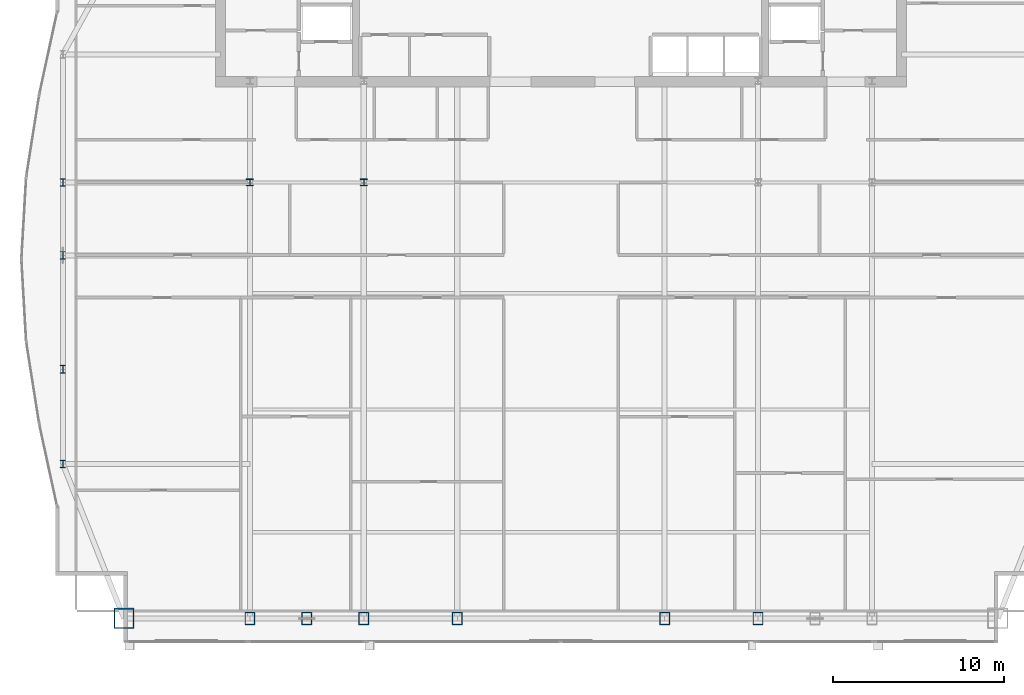
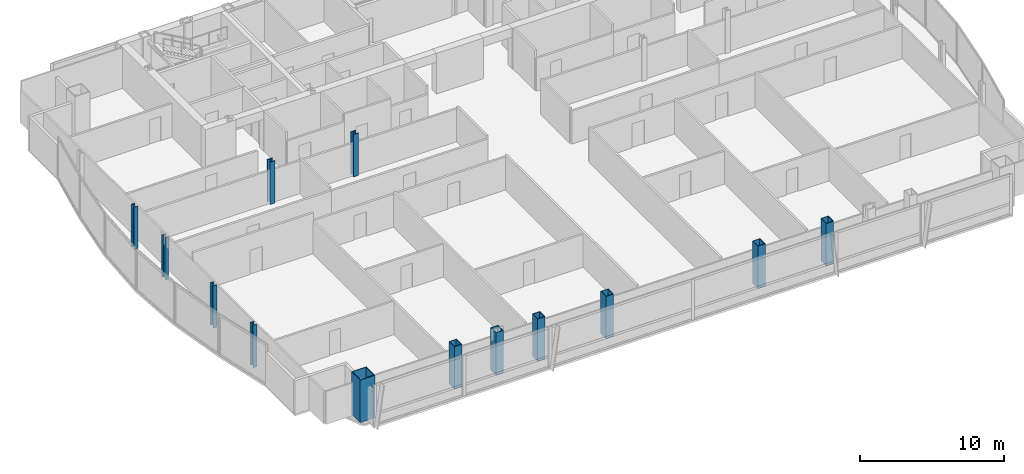
# One storey, part 1 of 30: 13 columns.
"""IFC4 building model written with IfcOpenShell, lengths in metres."""

from ifc_helpers import new_model, si_unit, direction, frame, origin, origin_2d, place, context, subcontext, project, spatial, hollow_rectangle, i_section, extrude, material, material_profile, profile_set, type_object, element, save


model = new_model("IFC4")

# Units and contexts
model_context = context("Model", 3, precision=1e-05, world=origin(), true_north=direction((0.0, 1.0)))
body_context = subcontext(model_context, "Body", "Model", "MODEL_VIEW")
ifc_project = project(units=[si_unit("LENGTHUNIT", "METRE"), si_unit("AREAUNIT", "SQUARE_METRE"), si_unit("VOLUMEUNIT", "CUBIC_METRE"), si_unit("PLANEANGLEUNIT", "RADIAN"), si_unit("MASSUNIT", "GRAM", prefix="KILO")], contexts=[model_context])

# Site, building, storey
site_placement = place(None, origin())
site = spatial("IfcSite", under=ifc_project, at=site_placement, CompositionType="ELEMENT")
building_placement = place(site_placement, origin())
building = spatial("IfcBuilding", under=site, at=building_placement, Name="Khoronbel Lancet Exchange", CompositionType="ELEMENT")
storey_placement = place(building_placement, frame((0.0, 0.0, 217.39990234375)))
storey = spatial("IfcBuildingStorey", under=building, at=storey_placement, Name="L55", CompositionType="ELEMENT", Elevation=217.39990234375)

# Columns
ifc_material_1 = material(Name="Steel S460", Category="steel")
ifc_material_profile_1 = material_profile(ifc_material_1, hollow_rectangle(XDim=0.60009765625, YDim=0.75, WallThickness=0.044921875, at=origin_2d()), Name="BOX 750x600x45")
ifc_profile_set_1 = profile_set([ifc_material_profile_1], Name="Steel S460")
column_type_1 = type_object("IfcColumnType", Name="COL-EC3", PredefinedType="COLUMN", material=ifc_profile_set_1)
for number, where, z_axis, x_axis, name in (
    (1, (18.22509765625, 10.14990234375, 0.0), (0.0, 0.0, 1.0), (1.0, 0.0, 0.0), "Structural column SC-W1 L55"),
    (2, (21.5625, 10.14990234375, 0.0), (0.0, 0.0, 1.0), (1.0, 0.0, 0.0), "Structural column SC-WM L55"),
    (3, (24.89990234375, 10.14990234375, 0.0), (0.0, 0.0, 1.0), (1.0, 0.0, 0.0), "Structural column SC-W2 L55"),
    (4, (30.375, 10.14990234375, 0.0), (0.0, 0.0, 1.0), (1.0, 0.0, 0.0), "Structural column SC-C1 L55"),
    (5, (42.52490234375, 10.14990234375, 0.0), (0.0, 0.0, 1.0), (1.0, 0.0, 0.0), "Structural column SC-C2 L55"),
    (6, (48.0, 10.14990234375, 0.0), (0.0, 0.0, 1.0), (1.0, 0.0, 0.0), "Structural column SC-E1 L55"),
):
    element("IfcColumn", number, at=place(storey_placement, frame(where, z_axis=z_axis, x_axis=x_axis)), inside=storey, type_object=column_type_1, Name=name, PredefinedType="COLUMN", context=body_context, shape_type="SweptSolid", body=[
        extrude(hollow_rectangle(XDim=0.60009765625, YDim=0.75, WallThickness=0.044921875, at=origin_2d()), origin(), (0.0, 0.0, 1.0), 3.60009765625),
    ])
ifc_material_2 = material(Name="Steel S355", Category="steel")
ifc_material_profile_2 = material_profile(ifc_material_2, i_section(OverallWidth=0.406005859375, OverallDepth=0.416015625, WebThickness=0.02978515625, FlangeThickness=0.048095703125, at=origin_2d()), Name="HD 400x382")
ifc_profile_set_2 = profile_set([ifc_material_profile_2], Name="Steel S355")
column_type_2 = type_object("IfcColumnType", Name="COL-IC3", PredefinedType="COLUMN", material=ifc_profile_set_2)
for number, where, z_axis, x_axis, name in (
    (7, (18.22509765625, 35.699951171875, 0.0), (0.0, 0.0, 1.0), (1.0, 0.0, 0.0), "Spine gravity column TC1 L55"),
    (8, (24.89990234375, 35.699951171875, 0.0), (0.0, 0.0, 1.0), (1.0, 0.0, 0.0), "Spine gravity column TC2 L55"),
):
    element("IfcColumn", number, at=place(storey_placement, frame(where, z_axis=z_axis, x_axis=x_axis)), inside=storey, type_object=column_type_2, Name=name, PredefinedType="COLUMN", context=body_context, shape_type="SweptSolid", body=[
        extrude(i_section(OverallWidth=0.406005859375, OverallDepth=0.416015625, WebThickness=0.02978515625, FlangeThickness=0.048095703125, at=origin_2d()), origin(), (0.0, 0.0, 1.0), 3.60009765625),
    ])
ifc_material_profile_3 = material_profile(ifc_material_2, i_section(OverallWidth=0.300048828125, OverallDepth=0.449951171875, WebThickness=0.013916015625, FlangeThickness=0.02587890625, at=origin_2d()), Name="HEB 450")
ifc_profile_set_3 = profile_set([ifc_material_profile_3], Name="Steel S355")
column_type_3 = type_object("IfcColumnType", Name="COL-LC2", PredefinedType="COLUMN", material=ifc_profile_set_3)
for number, where, z_axis, x_axis, name in (
    (9, (7.27001953125, 19.199951171875, 0.0), (0.0, 0.0, 1.0), (1.0, 0.0, 0.0), "Structural column WC-1 L55"),
    (10, (7.27001953125, 24.75, 0.0), (0.0, 0.0, 1.0), (1.0, 0.0, 0.0), "Structural column WC-2 L55"),
    (11, (7.27001953125, 31.425048828125, 0.0), (0.0, 0.0, 1.0), (1.0, 0.0, 0.0), "Structural column WC-M L55"),
    (12, (7.27001953125, 35.699951171875, 0.0), (0.0, 0.0, 1.0), (1.0, 0.0, 0.0), "Structural column WC-3 L55"),
):
    element("IfcColumn", number, at=place(storey_placement, frame(where, z_axis=z_axis, x_axis=x_axis)), inside=storey, type_object=column_type_3, Name=name, PredefinedType="COLUMN", context=body_context, shape_type="SweptSolid", body=[
        extrude(i_section(OverallWidth=0.300048828125, OverallDepth=0.449951171875, WebThickness=0.013916015625, FlangeThickness=0.02587890625, at=origin_2d()), origin(), (0.0, 0.0, 1.0), 3.60009765625),
    ])
ifc_material_profile_4 = material_profile(ifc_material_1, hollow_rectangle(XDim=1.199951171875, YDim=1.199951171875, WallThickness=0.06005859375, at=origin_2d()), Name="BOX 1200x1200x60")
ifc_profile_set_4 = profile_set([ifc_material_profile_4], Name="Steel S460")
column_type_4 = type_object("IfcColumnType", Name="COL-MC5", PredefinedType="COLUMN", material=ifc_profile_set_4)
column_placement = place(storey_placement, frame((10.85009765625, 10.14990234375, 0.0), z_axis=(0.0, 0.0, 1.0), x_axis=(1.0, 0.0, 0.0)))
element("IfcColumn", 13, at=column_placement, inside=storey, type_object=column_type_4, Name="Structural column MC-SW L55", PredefinedType="COLUMN", context=body_context, shape_type="SweptSolid", body=[
    extrude(hollow_rectangle(XDim=1.199951171875, YDim=1.199951171875, WallThickness=0.06005859375, at=origin_2d()), origin(), (0.0, 0.0, 1.0), 3.60009765625),
])

save(model, "model.ifc")
